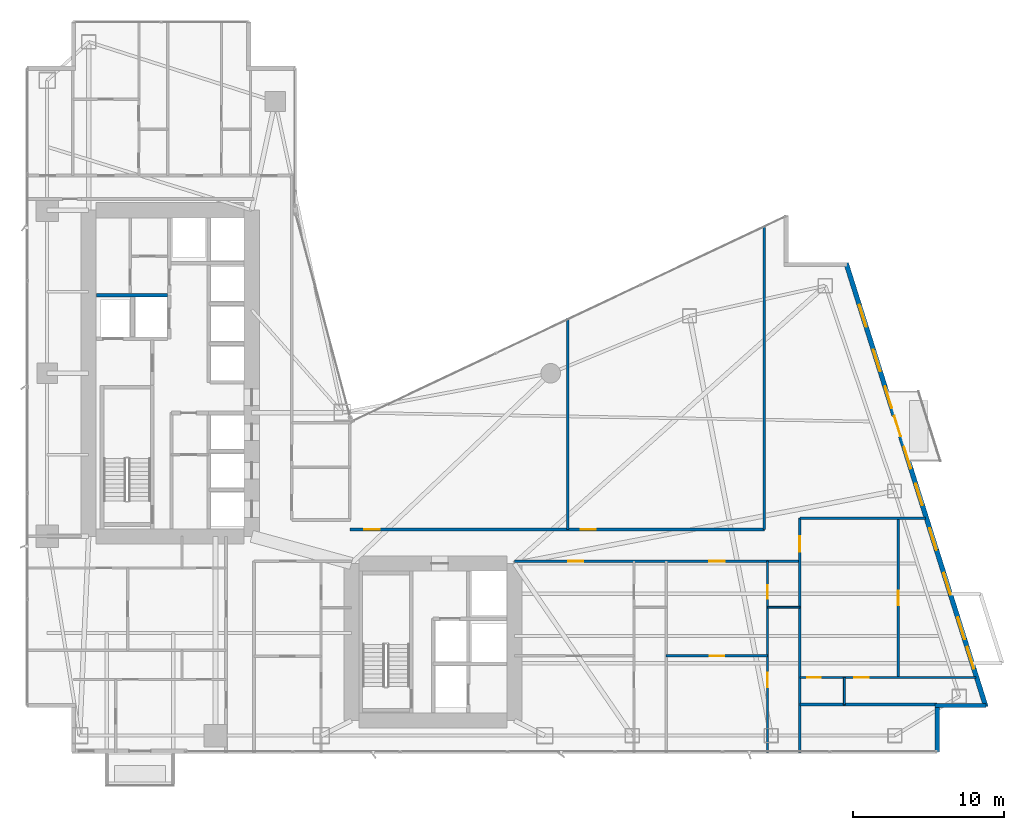
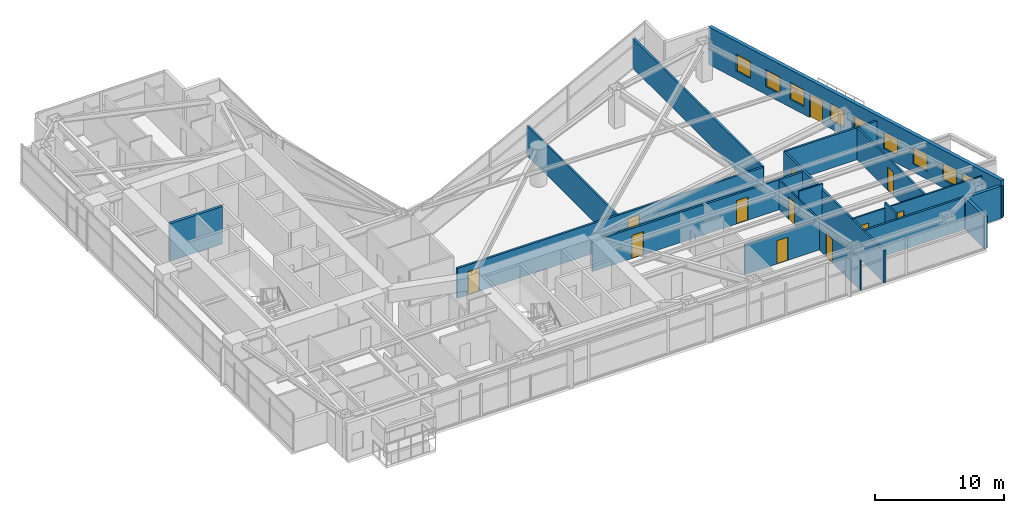
# One storey, part 24 of 29: 17 walls, 12 doors, 9 windows, 21 openings.
"""IFC4 building model written with IfcOpenShell, lengths in metres."""

import ifcopenshell
import ifcopenshell.guid

model = None  # the IFC model being written
_history = None  # IfcOwnerHistory: only IFC2X3 demands one
_inside = {}  # id of a spatial element -> (the spatial element, [elements in it])
_under = {}  # id of a project, library or spatial element -> (it, [spatial elements below it])
_declared = {}  # id of a project -> (the project, [libraries it declares])
_typed = {}  # id of a type object -> (the type object, [elements of that type])
_made_of = {}  # id of a material, layer set ... -> (it, [elements and type objects made of it])


def new_model(schema):
    """Start an empty IFC model of exactly this schema.

    Asked for "IFC4X3", IfcOpenShell would pick the latest addendum, in which some entities
    have other attributes; the version numbers below select the first issue.
    IFC2X3 requires an IfcOwnerHistory on every rooted entity: one is made here for all.
    """
    global model, _history
    if schema == "IFC4X3":
        model = ifcopenshell.file(schema_version=(4, 3, 0, 0))
    else:
        model = ifcopenshell.file(schema=schema)
    _inside.clear()
    _under.clear()
    _declared.clear()
    _typed.clear()
    _made_of.clear()
    _history = None
    if model.schema == "IFC2X3":
        org = make("IfcOrganization", Name="unknown")
        user = make(
            "IfcPersonAndOrganization",
            ThePerson=make("IfcPerson", FamilyName="unknown"),
            TheOrganization=org,
        )
        app = make(
            "IfcApplication",
            ApplicationDeveloper=org,
            Version="unknown",
            ApplicationFullName="unknown",
            ApplicationIdentifier="unknown",
        )
        _history = make(
            "IfcOwnerHistory",
            OwningUser=user,
            OwningApplication=app,
            ChangeAction="ADDED",
            CreationDate=0,
        )
    return model


def make(cls, **values):
    """One entity of the class cls with the attributes given. An attribute that is None is left unset."""
    return model.create_entity(
        cls, **{name: value for name, value in values.items() if value is not None}
    )


def rooted(cls, **values):
    """An entity with a GlobalId (a new one), such as an element, a storey or a relation."""
    return make(cls, GlobalId=ifcopenshell.guid.new(), OwnerHistory=_history, **values)


def si_unit(unit_type, name, prefix=None):
    """IfcSIUnit, for example si_unit("LENGTHUNIT", "METRE", prefix="MILLI")."""
    return make("IfcSIUnit", UnitType=unit_type, Prefix=prefix, Name=name)


def assignment(units):
    """IfcUnitAssignment: the units of a project."""
    return None if units is None else make("IfcUnitAssignment", Units=units)


def point(xyz):
    """IfcCartesianPoint."""
    return None if xyz is None else make("IfcCartesianPoint", Coordinates=xyz)


def direction(xyz):
    """IfcDirection."""
    return None if xyz is None else make("IfcDirection", DirectionRatios=xyz)


def frame(location, z_axis=None, x_axis=None):
    """IfcAxis2Placement3D, a coordinate frame: its origin and axes. An axis left out is left unset."""
    return make(
        "IfcAxis2Placement3D",
        Location=point(location),
        Axis=direction(z_axis),
        RefDirection=direction(x_axis),
    )


def frame_2d(location, x_axis=None):
    """IfcAxis2Placement2D, a coordinate frame in the plane: its origin and x axis."""
    return make(
        "IfcAxis2Placement2D", Location=point(location), RefDirection=direction(x_axis)
    )


def origin():
    """The frame at (0, 0, 0) with its axes left unset."""
    return frame((0.0, 0.0, 0.0))


def place(relative_to, where):
    """IfcLocalPlacement: puts the frame where relative to a parent placement (None: the world)."""
    return make(
        "IfcLocalPlacement", PlacementRelTo=relative_to, RelativePlacement=where
    )


def context(
    kind, dimensions, precision=None, world=None, true_north=None, identifier=None
):
    """IfcGeometricRepresentationContext, for example the 3D "Model" context."""
    return make(
        "IfcGeometricRepresentationContext",
        ContextIdentifier=identifier,
        ContextType=kind,
        CoordinateSpaceDimension=dimensions,
        Precision=precision,
        WorldCoordinateSystem=world,
        TrueNorth=true_north,
    )


def subcontext(parent, identifier, kind, view, scale=None):
    """IfcGeometricRepresentationSubContext, for example "Body" below "Model"."""
    return make(
        "IfcGeometricRepresentationSubContext",
        ContextIdentifier=identifier,
        ContextType=kind,
        ParentContext=parent,
        TargetScale=scale,
        TargetView=view,
    )


def project(units=None, contexts=None):
    """IfcProject with its units and contexts."""
    return rooted(
        "IfcProject",
        Name="project",
        RepresentationContexts=contexts,
        UnitsInContext=assignment(units),
    )


def spatial(cls, under=None, at=None, **own):
    """A site, building, storey or space (cls), placed at a placement, below another one or the project."""
    s = rooted(cls, ObjectPlacement=at, **own)
    if under is not None:
        _under.setdefault(under.id(), (under, []))[1].append(s)
    return s


def profile(cls, at=None, kind="AREA", **sizes):
    """A parametric profile (cls). Its sizes go by their IFC names, for example OverallWidth=200.0."""
    return make(cls, ProfileType=kind, Position=at, **sizes)


def rectangle(**sizes):
    """IfcRectangleProfileDef."""
    return profile("IfcRectangleProfileDef", **sizes)


def extrude(swept, where, along, depth):
    """IfcExtrudedAreaSolid: the profile swept, set in the frame where, extruded along a direction by depth."""
    return make(
        "IfcExtrudedAreaSolid",
        SweptArea=swept,
        Position=where,
        ExtrudedDirection=direction(along),
        Depth=depth,
    )


def shape(context_of_items, identifier, shape_type, items):
    """IfcShapeRepresentation: the items that make up one representation, for example the "Body"."""
    return make(
        "IfcShapeRepresentation",
        ContextOfItems=context_of_items,
        RepresentationIdentifier=identifier,
        RepresentationType=shape_type,
        Items=items,
    )


def material(Name=None, Category=None):
    """IfcMaterial."""
    return make("IfcMaterial", Name=Name, Category=Category)


def layer(
    of_material, thickness, ventilated=None, Name=None, Category=None, Priority=None
):
    """IfcMaterialLayer: one layer of a wall or slab, of a material (None: an air gap)."""
    return make(
        "IfcMaterialLayer",
        Material=of_material,
        LayerThickness=thickness,
        IsVentilated=ventilated,
        Name=Name,
        Category=Category,
        Priority=Priority,
    )


def layer_set(layers, Name=None):
    """IfcMaterialLayerSet."""
    return make("IfcMaterialLayerSet", MaterialLayers=layers, LayerSetName=Name)


def made_of(thing, what):
    """Note that an element or type object is made of a material, layer set ...; save() writes the relation."""
    if what is not None:
        _made_of.setdefault(what.id(), (what, []))[1].append(thing)
    return thing


def type_object(cls, material=None, **own):
    """A type object (cls), such as IfcWallType, which elements share."""
    return made_of(rooted(cls, **own), material)


def element(
    cls,
    number,
    at=None,
    inside=None,
    cuts=None,
    type_object=None,
    material=None,
    context=None,
    identifier="Body",
    shape_type=None,
    held_by="IfcProductDefinitionShape",
    body=None,
    shapes=None,
    **own,
):
    """One element of the class cls, such as IfcWall. Its Tag is "e" and its number.

    at: its placement. inside: the storey or other place that contains it. cuts: it is an
    opening in that element (IfcRelVoidsElement). A single representation is given by context,
    identifier, shape_type and body (its items); several are given by shapes. held_by: the class
    of the entity that holds the representations. save() writes the other relations.
    """
    e = rooted(cls, Tag="e%d" % number, ObjectPlacement=at, **own)
    if body is not None:
        shapes = [shape(context, identifier, shape_type, body)]
    if shapes is not None:
        e.Representation = make(held_by, Representations=shapes)
    if inside is not None:
        _inside.setdefault(inside.id(), (inside, []))[1].append(e)
    if cuts is not None:
        rooted(
            "IfcRelVoidsElement", RelatingBuildingElement=cuts, RelatedOpeningElement=e
        )
    if type_object is not None:
        _typed.setdefault(type_object.id(), (type_object, []))[1].append(e)
    return made_of(e, material)


def fill(opening, filler):
    """IfcRelFillsElement: the door or window that sits in an opening."""
    return rooted(
        "IfcRelFillsElement",
        RelatingOpeningElement=opening,
        RelatedBuildingElement=filler,
    )


def aggregate(whole, parts):
    """IfcRelAggregates: a whole, such as a stair, and the parts it consists of."""
    return rooted("IfcRelAggregates", RelatingObject=whole, RelatedObjects=parts)


def save(model, path):
    """Write the relations noted so far, then the file.

    IfcRelAggregates (storeys below a building ...), IfcRelContainedInSpatialStructure (elements
    in a storey), IfcRelDefinesByType, IfcRelAssociatesMaterial and IfcRelDeclares: one each for
    every whole, place, type object, material and project.
    """
    for whole, parts in _under.values():
        aggregate(whole, parts)
    for where, things in _inside.values():
        rooted(
            "IfcRelContainedInSpatialStructure",
            RelatedElements=things,
            RelatingStructure=where,
        )
    for kind, things in _typed.values():
        rooted("IfcRelDefinesByType", RelatedObjects=things, RelatingType=kind)
    for what, things in _made_of.values():
        rooted("IfcRelAssociatesMaterial", RelatedObjects=things, RelatingMaterial=what)
    for by, libraries in _declared.values():
        rooted("IfcRelDeclares", RelatingContext=by, RelatedDefinitions=libraries)
    model.write(path)


model = new_model("IFC4")

# Units and contexts
model_context = context("Model", 3, precision=1e-05, world=origin(), true_north=direction((0.0, 1.0)))
body_context = subcontext(model_context, "Body", "Model", "MODEL_VIEW")
ifc_project = project(units=[si_unit("LENGTHUNIT", "METRE"), si_unit("AREAUNIT", "SQUARE_METRE"), si_unit("VOLUMEUNIT", "CUBIC_METRE"), si_unit("PLANEANGLEUNIT", "RADIAN"), si_unit("MASSUNIT", "GRAM", prefix="KILO")], contexts=[model_context])

# Site, building, storey
site_placement = place(None, origin())
site = spatial("IfcSite", under=ifc_project, at=site_placement, CompositionType="ELEMENT")
building_placement = place(site_placement, origin())
building = spatial("IfcBuilding", under=site, at=building_placement, Name="Calvorn Quay Hotel", CompositionType="ELEMENT")
storey_placement = place(building_placement, frame((0.0, 0.0, 69.800048828125)))
storey = spatial("IfcBuildingStorey", under=building, at=storey_placement, Name="L16", CompositionType="ELEMENT", Elevation=69.800048828125)

# Wall, openings, doors
ifc_material_1 = material(Name="Acoustic Fireboard Steel-Stud Partition", Category="steel")
ifc_layer_1 = layer(ifc_material_1, 0.179931640625)
ifc_layer_set_1 = layer_set([ifc_layer_1], Name="WL-CORR-FIRE-180")
wall_type_1 = type_object("IfcWallType", Name="WL-CORR-FIRE-180", PredefinedType="PARTITIONING", material=ifc_layer_set_1)
wall_1_placement = place(storey_placement, frame((32.39990234375, 15.14990234375, 0.0), z_axis=(0.0, 0.0, 1.0), x_axis=(1.0, 0.0, 0.0)))
wall_1 = element("IfcWall", 1, at=wall_1_placement, inside=storey, type_object=wall_type_1, Name="Partition Wall L16-WL-CORR-SE-S", PredefinedType="PARTITIONING", context=body_context, shape_type="SweptSolid", body=[
    extrude(rectangle(XDim=18.900146484375, YDim=0.179931640625, at=frame_2d((9.4501953125, 0.0))), origin(), (0.0, 0.0, 1.0), 2.83984375),
])
opening_1_placement = place(wall_1_placement, frame((3.550048828125, 0.0, 0.0)))
opening_1 = element("IfcOpeningElement", 2, at=opening_1_placement, cuts=wall_1, Name="Opening D-L16-U06", PredefinedType="OPENING", context=body_context, shape_type="SweptSolid", body=[
    extrude(rectangle(XDim=1.02001953125, YDim=2.199951171875, at=frame_2d((0.510009765625, 1.10009765625))), frame((0.0, 0.099853515625, 0.0), z_axis=(0.0, -1.0, 0.0), x_axis=(1.0, 0.0, 0.0)), (0.0, 0.0, 1.0), 0.199951171875),
])
opening_2_placement = place(wall_1_placement, frame((12.89990234375, 0.0, 0.0)))
opening_2 = element("IfcOpeningElement", 3, at=opening_2_placement, cuts=wall_1, Name="Opening D-L16-U07", PredefinedType="OPENING", context=body_context, shape_type="SweptSolid", body=[
    extrude(rectangle(XDim=1.02001953125, YDim=2.199951171875, at=frame_2d((0.510009765625, 1.10009765625))), frame((0.0, 0.099853515625, 0.0), z_axis=(0.0, -1.0, 0.0), x_axis=(1.0, 0.0, 0.0)), (0.0, 0.0, 1.0), 0.199951171875),
])
ifc_material_2 = material(Name="Solid-Core Walnut Veneer Hotel Fire Door")
door_type_1 = type_object("IfcDoorType", Name="DR-GUEST-ENTRY-1020", OperationType="NOTDEFINED", PredefinedType="DOOR", material=ifc_material_2)
door_1_placement = place(opening_1_placement, origin())
door_1 = element("IfcDoor", 4, at=door_1_placement, inside=storey, type_object=door_type_1, Name="South-East Unit Door U06 (L16)", OperationType="SINGLE_SWING_LEFT", OverallHeight=2.199951171875, OverallWidth=1.02001953125, PredefinedType="DOOR", context=body_context, shape_type="SweptSolid", body=[
    extrude(rectangle(XDim=1.02001953125, YDim=2.199951171875, at=frame_2d((0.510009765625, 1.10009765625))), frame((0.0, 0.02490234375, 0.0), z_axis=(0.0, -1.0, 0.0), x_axis=(1.0, 0.0, 0.0)), (0.0, 0.0, 1.0), 0.050048828125),
])
fill(opening_1, door_1)
door_2_placement = place(opening_2_placement, origin())
door_2 = element("IfcDoor", 5, at=door_2_placement, inside=storey, type_object=door_type_1, Name="South-East Unit Door U07 (L16)", OperationType="SINGLE_SWING_RIGHT", OverallHeight=2.199951171875, OverallWidth=1.02001953125, PredefinedType="DOOR", context=body_context, shape_type="SweptSolid", body=[
    extrude(rectangle(XDim=1.02001953125, YDim=2.199951171875, at=frame_2d((0.510009765625, 1.10009765625))), frame((0.0, 0.02490234375, 0.0), z_axis=(0.0, -1.0, 0.0), x_axis=(1.0, 0.0, 0.0)), (0.0, 0.0, 1.0), 0.050048828125),
])
fill(opening_2, door_2)

wall_2_placement = place(storey_placement, frame((21.5, 17.25, 0.0), z_axis=(0.0, 0.0, 1.0), x_axis=(1.0, 0.0, 0.0)))
wall_2 = element("IfcWall", 6, at=wall_2_placement, inside=storey, type_object=wall_type_1, Name="Partition Wall L16-WL-CORR-NE-N", PredefinedType="PARTITIONING", context=body_context, shape_type="SweptSolid", body=[
    extrude(rectangle(XDim=27.449951171875, YDim=0.179931640625, at=frame_2d((13.72509765625, 0.0))), origin(), (0.0, 0.0, 1.0), 2.83984375),
])
opening_3_placement = place(wall_2_placement, frame((0.949951171875, 0.0, 0.0)))
opening_3 = element("IfcOpeningElement", 7, at=opening_3_placement, cuts=wall_2, Name="Opening D-L16-NS1", PredefinedType="OPENING", context=body_context, shape_type="SweptSolid", body=[
    extrude(rectangle(XDim=1.02001953125, YDim=2.199951171875, at=frame_2d((0.510009765625, 1.10009765625))), frame((0.0, 0.099853515625, 0.0), z_axis=(0.0, -1.0, 0.0), x_axis=(1.0, 0.0, 0.0)), (0.0, 0.0, 1.0), 0.199951171875),
])
opening_4_placement = place(wall_2_placement, frame((15.280029296875, 0.0, 0.0)))
opening_4 = element("IfcOpeningElement", 8, at=opening_4_placement, cuts=wall_2, Name="Opening D-L16-NS2", PredefinedType="OPENING", context=body_context, shape_type="SweptSolid", body=[
    extrude(rectangle(XDim=1.02001953125, YDim=2.199951171875, at=frame_2d((0.510009765625, 1.10009765625))), frame((0.0, 0.099853515625, 0.0), z_axis=(0.0, -1.0, 0.0), x_axis=(1.0, 0.0, 0.0)), (0.0, 0.0, 1.0), 0.199951171875),
])
door_3_placement = place(opening_3_placement, origin())
door_3 = element("IfcDoor", 9, at=door_3_placement, inside=storey, type_object=door_type_1, Name="Conservatory Salon Door 1 (L16)", OperationType="SINGLE_SWING_RIGHT", OverallHeight=2.199951171875, OverallWidth=1.02001953125, PredefinedType="DOOR", context=body_context, shape_type="SweptSolid", body=[
    extrude(rectangle(XDim=1.02001953125, YDim=2.199951171875, at=frame_2d((0.510009765625, 1.10009765625))), frame((0.0, 0.02490234375, 0.0), z_axis=(0.0, -1.0, 0.0), x_axis=(1.0, 0.0, 0.0)), (0.0, 0.0, 1.0), 0.050048828125),
])
fill(opening_3, door_3)
door_4_placement = place(opening_4_placement, origin())
door_4 = element("IfcDoor", 10, at=door_4_placement, inside=storey, type_object=door_type_1, Name="Conservatory Salon Door 2 (L16)", OperationType="SINGLE_SWING_LEFT", OverallHeight=2.199951171875, OverallWidth=1.02001953125, PredefinedType="DOOR", context=body_context, shape_type="SweptSolid", body=[
    extrude(rectangle(XDim=1.02001953125, YDim=2.199951171875, at=frame_2d((0.510009765625, 1.10009765625))), frame((0.0, 0.02490234375, 0.0), z_axis=(0.0, -1.0, 0.0), x_axis=(1.0, 0.0, 0.0)), (0.0, 0.0, 1.0), 0.050048828125),
])
fill(opening_4, door_4)

# Walls
wall_3_placement = place(storey_placement, frame((48.949951171875, 17.25, 0.0), z_axis=(0.0, 0.0, 1.0), x_axis=(0.0, 1.0, 0.0)))
element("IfcWall", 11, at=wall_3_placement, inside=storey, type_object=wall_type_1, Name="Partition Wall L16-WL-NE-END-E", PredefinedType="PARTITIONING", context=body_context, shape_type="SweptSolid", body=[
    extrude(rectangle(XDim=20.14990234375, YDim=0.179931640625, at=frame_2d((10.074951171875, 0.0))), origin(), (0.0, 0.0, 1.0), 2.83984375),
])
wall_4_placement = place(storey_placement, frame((51.300048828125, 5.659912109375, 0.0), z_axis=(0.0, 0.0, 1.0), x_axis=(1.0, 0.0, 0.0)))
element("IfcWall", 12, at=wall_4_placement, inside=storey, type_object=wall_type_1, Name="Partition Wall L16-WL-TIP-S", PredefinedType="PARTITIONING", context=body_context, shape_type="SweptSolid", body=[
    extrude(rectangle(XDim=9.099853515625, YDim=0.179931640625, at=frame_2d((4.5498046875, 0.0))), origin(), (0.0, 0.0, 1.0), 3.0400390625),
])
wall_5_placement = place(storey_placement, frame((51.300048828125, 18.0, 0.0), z_axis=(0.0, 0.0, 1.0), x_axis=(1.0, 0.0, 0.0)))
element("IfcWall", 13, at=wall_5_placement, inside=storey, type_object=wall_type_1, Name="Partition Wall L16-WL-TIP-DIV", PredefinedType="PARTITIONING", context=body_context, shape_type="SweptSolid", body=[
    extrude(rectangle(XDim=8.329833984375, YDim=0.179931640625, at=frame_2d((4.1650390625, 0.0))), origin(), (0.0, 0.0, 1.0), 3.0400390625),
])

# Wall, opening, door
wall_6_placement = place(storey_placement, frame((51.300048828125, 2.43994140625, 0.0), z_axis=(0.0, 0.0, 1.0), x_axis=(0.0, 1.0, 0.0)))
wall_6 = element("IfcWall", 14, at=wall_6_placement, inside=storey, type_object=wall_type_1, Name="Partition Wall L16-WL-CORR-TIP-E1", PredefinedType="PARTITIONING", context=body_context, shape_type="SweptSolid", body=[
    extrude(rectangle(XDim=15.56005859375, YDim=0.179931640625, at=frame_2d((7.780029296875, 0.0))), origin(), (0.0, 0.0, 1.0), 3.0400390625),
])
opening_5_placement = place(wall_6_placement, frame((13.330078125, 0.0, 0.0)))
opening_5 = element("IfcOpeningElement", 15, at=opening_5_placement, cuts=wall_6, Name="Opening D-L16-U08", PredefinedType="OPENING", context=body_context, shape_type="SweptSolid", body=[
    extrude(rectangle(XDim=1.02001953125, YDim=2.199951171875, at=frame_2d((0.510009765625, 1.10009765625))), frame((0.0, 0.099853515625, 0.0), z_axis=(0.0, -1.0, 0.0), x_axis=(1.0, 0.0, 0.0)), (0.0, 0.0, 1.0), 0.199951171875),
])
door_5_placement = place(opening_5_placement, origin())
door_5 = element("IfcDoor", 16, at=door_5_placement, inside=storey, type_object=door_type_1, Name="Terrace Suite Door U08 (L16)", OperationType="SINGLE_SWING_LEFT", OverallHeight=2.199951171875, OverallWidth=1.02001953125, PredefinedType="DOOR", context=body_context, shape_type="SweptSolid", body=[
    extrude(rectangle(XDim=1.02001953125, YDim=2.199951171875, at=frame_2d((0.510009765625, 1.10009765625))), frame((0.0, 0.02490234375, 0.0), z_axis=(0.0, -1.0, 0.0), x_axis=(1.0, 0.0, 0.0)), (0.0, 0.0, 1.0), 0.050048828125),
])
fill(opening_5, door_5)

# Wall
ifc_material_3 = material(Name="Moisture-Resistant Tile-Backed Partition")
ifc_layer_2 = layer(ifc_material_3, 0.125)
ifc_layer_set_2 = layer_set([ifc_layer_2], Name="WL-ENSUITE-125")
wall_type_2 = type_object("IfcWallType", Name="WL-ENSUITE-125", PredefinedType="PARTITIONING", material=ifc_layer_set_2)
wall_7_placement = place(storey_placement, frame((49.169921875, 12.10009765625, 0.0), z_axis=(0.0, 0.0, 1.0), x_axis=(1.0, 0.0, 0.0)))
element("IfcWall", 17, at=wall_7_placement, inside=storey, type_object=wall_type_2, Name="Partition Wall L16-WL-U07-BDV", PredefinedType="PARTITIONING", context=body_context, shape_type="SweptSolid", body=[
    extrude(rectangle(XDim=2.130126953125, YDim=0.125, at=frame_2d((1.06494140625, 0.0))), origin(), (0.0, 0.0, 1.0), 3.56005859375),
])

# Wall, openings, doors
wall_8_placement = place(storey_placement, frame((49.169921875, 2.43994140625, 0.0), z_axis=(0.0, 0.0, 1.0), x_axis=(0.0, 1.0, 0.0)))
wall_8 = element("IfcWall", 18, at=wall_8_placement, inside=storey, type_object=wall_type_2, Name="Partition Wall L16-WL-U07-BV", PredefinedType="PARTITIONING", context=body_context, shape_type="SweptSolid", body=[
    extrude(rectangle(XDim=12.7099609375, YDim=0.125, at=frame_2d((6.35498046875, 0.0))), origin(), (0.0, 0.0, 1.0), 2.83984375),
])
opening_6_placement = place(wall_8_placement, frame((4.35009765625, 0.0, 0.0)))
opening_6 = element("IfcOpeningElement", 19, at=opening_6_placement, cuts=wall_8, Name="Opening D-L16-S07", PredefinedType="OPENING", context=body_context, shape_type="SweptSolid", body=[
    extrude(rectangle(XDim=0.9599609375, YDim=2.199951171875, at=frame_2d((0.47998046875, 1.10009765625))), frame((0.0, 0.072509765625, 0.0), z_axis=(0.0, -1.0, 0.0), x_axis=(1.0, 0.0, 0.0)), (0.0, 0.0, 1.0), 0.14501953125),
])
opening_7_placement = place(wall_8_placement, frame((10.2099609375, 0.0, 0.0)))
opening_7 = element("IfcOpeningElement", 20, at=opening_7_placement, cuts=wall_8, Name="Opening D-L16-E07", PredefinedType="OPENING", context=body_context, shape_type="SweptSolid", body=[
    extrude(rectangle(XDim=0.89990234375, YDim=2.14990234375, at=frame_2d((0.449951171875, 1.074951171875))), frame((0.0, 0.072509765625, 0.0), z_axis=(0.0, -1.0, 0.0), x_axis=(1.0, 0.0, 0.0)), (0.0, 0.0, 1.0), 0.14501953125),
])
ifc_material_4 = material(Name="Moisture-Sealed Timber En-Suite Door", Category="wood")
door_type_2 = type_object("IfcDoorType", Name="DR-ENSUITE-900", OperationType="NOTDEFINED", PredefinedType="DOOR", material=ifc_material_4)
door_6_placement = place(opening_7_placement, origin())
door_6 = element("IfcDoor", 21, at=door_6_placement, inside=storey, type_object=door_type_2, Name="En-Suite Door 07", OperationType="SINGLE_SWING_RIGHT", OverallHeight=2.14990234375, OverallWidth=0.89990234375, PredefinedType="DOOR", context=body_context, shape_type="SweptSolid", body=[
    extrude(rectangle(XDim=0.89990234375, YDim=2.14990234375, at=frame_2d((0.449951171875, 1.074951171875))), frame((0.0, 0.02490234375, 0.0), z_axis=(0.0, -1.0, 0.0), x_axis=(1.0, 0.0, 0.0)), (0.0, 0.0, 1.0), 0.050048828125),
])
fill(opening_7, door_6)
ifc_material_5 = material(Name="Solid Timber Internal Suite Door", Category="wood")
door_type_3 = type_object("IfcDoorType", Name="DR-SUITE-INT-960", OperationType="NOTDEFINED", PredefinedType="DOOR", material=ifc_material_5)
door_7_placement = place(opening_6_placement, origin())
door_7 = element("IfcDoor", 22, at=door_7_placement, inside=storey, type_object=door_type_3, Name="Spa Therapy Room Door 07", OperationType="SINGLE_SWING_LEFT", OverallHeight=2.199951171875, OverallWidth=0.9599609375, PredefinedType="DOOR", context=body_context, shape_type="SweptSolid", body=[
    extrude(rectangle(XDim=0.9599609375, YDim=2.199951171875, at=frame_2d((0.47998046875, 1.10009765625))), frame((0.0, 0.02490234375, 0.0), z_axis=(0.0, -1.0, 0.0), x_axis=(1.0, 0.0, 0.0)), (0.0, 0.0, 1.0), 0.050048828125),
])
fill(opening_6, door_7)

# Wall
wall_9_placement = place(storey_placement, frame((54.25, 5.659912109375, 0.0), z_axis=(0.0, 0.0, 1.0), x_axis=(0.0, 1.0, 0.0)))
element("IfcWall", 23, at=wall_9_placement, inside=storey, type_object=wall_type_2, Name="Partition Wall L16-WL-U08-BDV", PredefinedType="PARTITIONING", context=body_context, shape_type="SweptSolid", body=[
    extrude(rectangle(XDim=1.7900390625, YDim=0.125, at=frame_2d((0.89501953125, 0.0))), origin(), (0.0, 0.0, 1.0), 3.56005859375),
])

# Wall, openings, doors
wall_10_placement = place(storey_placement, frame((51.300048828125, 7.449951171875, 0.0), z_axis=(0.0, 0.0, 1.0), x_axis=(1.0, 0.0, 0.0)))
wall_10 = element("IfcWall", 24, at=wall_10_placement, inside=storey, type_object=wall_type_2, Name="Partition Wall L16-WL-U08-BH", PredefinedType="PARTITIONING", context=body_context, shape_type="SweptSolid", body=[
    extrude(rectangle(XDim=11.659912109375, YDim=0.125, at=frame_2d((5.830078125, 0.0))), origin(), (0.0, 0.0, 1.0), 3.0400390625),
])
opening_8_placement = place(wall_10_placement, frame((0.5, 0.0, 0.0)))
opening_8 = element("IfcOpeningElement", 25, at=opening_8_placement, cuts=wall_10, Name="Opening D-L16-E08", PredefinedType="OPENING", context=body_context, shape_type="SweptSolid", body=[
    extrude(rectangle(XDim=0.89990234375, YDim=2.14990234375, at=frame_2d((0.449951171875, 1.074951171875))), frame((0.0, 0.072509765625, 0.0), z_axis=(0.0, -1.0, 0.0), x_axis=(1.0, 0.0, 0.0)), (0.0, 0.0, 1.0), 0.14501953125),
])
opening_9_placement = place(wall_10_placement, frame((3.60009765625, 0.0, 0.0)))
opening_9 = element("IfcOpeningElement", 26, at=opening_9_placement, cuts=wall_10, Name="Opening D-L16-S08", PredefinedType="OPENING", context=body_context, shape_type="SweptSolid", body=[
    extrude(rectangle(XDim=0.9599609375, YDim=2.199951171875, at=frame_2d((0.47998046875, 1.10009765625))), frame((0.0, 0.072509765625, 0.0), z_axis=(0.0, -1.0, 0.0), x_axis=(1.0, 0.0, 0.0)), (0.0, 0.0, 1.0), 0.14501953125),
])
door_8_placement = place(opening_8_placement, origin())
door_8 = element("IfcDoor", 27, at=door_8_placement, inside=storey, type_object=door_type_2, Name="En-Suite Door 08", OperationType="SINGLE_SWING_LEFT", OverallHeight=2.14990234375, OverallWidth=0.89990234375, PredefinedType="DOOR", context=body_context, shape_type="SweptSolid", body=[
    extrude(rectangle(XDim=0.89990234375, YDim=2.14990234375, at=frame_2d((0.449951171875, 1.074951171875))), frame((0.0, 0.02490234375, 0.0), z_axis=(0.0, -1.0, 0.0), x_axis=(1.0, 0.0, 0.0)), (0.0, 0.0, 1.0), 0.050048828125),
])
fill(opening_8, door_8)
door_9_placement = place(opening_9_placement, origin())
door_9 = element("IfcDoor", 28, at=door_9_placement, inside=storey, type_object=door_type_3, Name="Spa Therapy Room Door 08", OperationType="SINGLE_SWING_RIGHT", OverallHeight=2.199951171875, OverallWidth=0.9599609375, PredefinedType="DOOR", context=body_context, shape_type="SweptSolid", body=[
    extrude(rectangle(XDim=0.9599609375, YDim=2.199951171875, at=frame_2d((0.47998046875, 1.10009765625))), frame((0.0, 0.02490234375, 0.0), z_axis=(0.0, -1.0, 0.0), x_axis=(1.0, 0.0, 0.0)), (0.0, 0.0, 1.0), 0.050048828125),
])
fill(opening_9, door_9)

# Walls
ifc_material_6 = material(Name="Concrete C40", Category="concrete")
ifc_layer_3 = layer(ifc_material_6, 0.320068359375)
ifc_layer_set_3 = layer_set([ifc_layer_3], Name="WL-EXT-SPANDREL-320")
wall_type_3 = type_object("IfcWallType", Name="WL-EXT-SPANDREL-320", PredefinedType="SOLIDWALL", material=ifc_layer_set_3)
wall_11_placement = place(storey_placement, frame((60.39990234375, 2.52001953125, 0.0), z_axis=(0.0, 0.0, 1.0), x_axis=(0.0, 1.0, 0.0)))
element("IfcWall", 29, at=wall_11_placement, inside=storey, type_object=wall_type_3, Name="Notched Corner Spandrel L16-SE1", PredefinedType="SOLIDWALL", context=body_context, shape_type="SweptSolid", body=[
    extrude(rectangle(XDim=2.93994140625, YDim=0.280029296875, at=frame_2d((1.469970703125, 0.0))), origin(), (0.0, 0.0, 1.0), 3.0400390625),
])
wall_12_placement = place(storey_placement, frame((60.260009765625, 5.60009765625, 0.0), z_axis=(0.0, 0.0, 1.0), x_axis=(1.0, 0.0, 0.0)))
element("IfcWall", 30, at=wall_12_placement, inside=storey, type_object=wall_type_3, Name="Notched Corner Spandrel L16-SE2", PredefinedType="SOLIDWALL", context=body_context, shape_type="SweptSolid", body=[
    extrude(rectangle(XDim=3.3798828125, YDim=0.280029296875, at=frame_2d((1.68994140625, 0.0))), origin(), (0.0, 0.0, 1.0), 3.0400390625),
])

# Wall, openings, door, windows
wall_13_placement = place(storey_placement, frame((63.6298828125, 5.5048828125, 0.0), z_axis=(0.0, 0.0, 1.0), x_axis=(-0.300501856448, 0.953781229775, 0.0)))
wall_13 = element("IfcWall", 31, at=wall_13_placement, inside=storey, type_object=wall_type_3, Name="East Stepped Waterfront Exterior Wall (L16)", PredefinedType="SOLIDWALL", context=body_context, shape_type="SweptSolid", body=[
    extrude(rectangle(XDim=30.814453125, YDim=0.320068359375, at=frame_2d((15.4072265625, 0.0))), origin(), (0.0, 0.0, 1.0), 3.56005859375),
])
opening_10_placement = place(wall_13_placement, frame((18.7958984375, 0.0, 0.0)))
opening_10 = element("IfcOpeningElement", 32, at=opening_10_placement, cuts=wall_13, Name="Opening DB-L16-1", PredefinedType="OPENING", context=body_context, shape_type="SweptSolid", body=[
    extrude(rectangle(XDim=1.39990234375, YDim=2.25, at=frame_2d((0.699951171875, 1.125))), frame((0.0, 0.169921875, 0.0), z_axis=(0.0, -1.0, 0.0), x_axis=(1.0, 0.0, 0.0)), (0.0, 0.0, 1.0), 0.340087890625),
])
opening_11_placement = place(wall_13_placement, frame((2.64990234375, 0.0, 0.75)))
opening_11 = element("IfcOpeningElement", 33, at=opening_11_placement, cuts=wall_13, Name="Opening WG-L16-E1", PredefinedType="OPENING", context=body_context, shape_type="SweptSolid", body=[
    extrude(rectangle(XDim=1.5, YDim=1.60009765625, at=frame_2d((0.75, 0.800048828125))), frame((0.0, 0.169921875, 0.0), z_axis=(0.0, -1.0, 0.0), x_axis=(1.0, 0.0, 0.0)), (0.0, 0.0, 1.0), 0.340087890625),
])
opening_12_placement = place(wall_13_placement, frame((4.699951171875, 0.0, 0.75)))
opening_12 = element("IfcOpeningElement", 34, at=opening_12_placement, cuts=wall_13, Name="Opening WG-L16-E2", PredefinedType="OPENING", context=body_context, shape_type="SweptSolid", body=[
    extrude(rectangle(XDim=1.5, YDim=1.60009765625, at=frame_2d((0.75, 0.800048828125))), frame((0.0, 0.169921875, 0.0), z_axis=(0.0, -1.0, 0.0), x_axis=(1.0, 0.0, 0.0)), (0.0, 0.0, 1.0), 0.340087890625),
])
opening_13_placement = place(wall_13_placement, frame((7.800048828125, 0.0, 0.75)))
opening_13 = element("IfcOpeningElement", 35, at=opening_13_placement, cuts=wall_13, Name="Opening WG-L16-E3", PredefinedType="OPENING", context=body_context, shape_type="SweptSolid", body=[
    extrude(rectangle(XDim=1.5, YDim=1.60009765625, at=frame_2d((0.75, 0.800048828125))), frame((0.0, 0.169921875, 0.0), z_axis=(0.0, -1.0, 0.0), x_axis=(1.0, 0.0, 0.0)), (0.0, 0.0, 1.0), 0.340087890625),
])
opening_14_placement = place(wall_13_placement, frame((10.89990234375, 0.0, 0.75)))
opening_14 = element("IfcOpeningElement", 36, at=opening_14_placement, cuts=wall_13, Name="Opening WG-L16-E4", PredefinedType="OPENING", context=body_context, shape_type="SweptSolid", body=[
    extrude(rectangle(XDim=1.5, YDim=1.60009765625, at=frame_2d((0.75, 0.800048828125))), frame((0.0, 0.169921875, 0.0), z_axis=(0.0, -1.0, 0.0), x_axis=(1.0, 0.0, 0.0)), (0.0, 0.0, 1.0), 0.340087890625),
])
opening_15_placement = place(wall_13_placement, frame((14.0, 0.0, 0.75)))
opening_15 = element("IfcOpeningElement", 37, at=opening_15_placement, cuts=wall_13, Name="Opening WG-L16-E5", PredefinedType="OPENING", context=body_context, shape_type="SweptSolid", body=[
    extrude(rectangle(XDim=1.5, YDim=1.60009765625, at=frame_2d((0.75, 0.800048828125))), frame((0.0, 0.169921875, 0.0), z_axis=(0.0, -1.0, 0.0), x_axis=(1.0, 0.0, 0.0)), (0.0, 0.0, 1.0), 0.340087890625),
])
opening_16_placement = place(wall_13_placement, frame((16.550048828125, 0.0, 0.75)))
opening_16 = element("IfcOpeningElement", 38, at=opening_16_placement, cuts=wall_13, Name="Opening WG-L16-E6", PredefinedType="OPENING", context=body_context, shape_type="SweptSolid", body=[
    extrude(rectangle(XDim=1.5, YDim=1.60009765625, at=frame_2d((0.75, 0.800048828125))), frame((0.0, 0.169921875, 0.0), z_axis=(0.0, -1.0, 0.0), x_axis=(1.0, 0.0, 0.0)), (0.0, 0.0, 1.0), 0.340087890625),
])
opening_17_placement = place(wall_13_placement, frame((20.75, 0.0, 0.75)))
opening_17 = element("IfcOpeningElement", 39, at=opening_17_placement, cuts=wall_13, Name="Opening WG-L16-E7", PredefinedType="OPENING", context=body_context, shape_type="SweptSolid", body=[
    extrude(rectangle(XDim=1.5, YDim=1.60009765625, at=frame_2d((0.75, 0.800048828125))), frame((0.0, 0.169921875, 0.0), z_axis=(0.0, -1.0, 0.0), x_axis=(1.0, 0.0, 0.0)), (0.0, 0.0, 1.0), 0.340087890625),
])
opening_18_placement = place(wall_13_placement, frame((23.300048828125, 0.0, 0.75)))
opening_18 = element("IfcOpeningElement", 40, at=opening_18_placement, cuts=wall_13, Name="Opening WG-L16-E8", PredefinedType="OPENING", context=body_context, shape_type="SweptSolid", body=[
    extrude(rectangle(XDim=1.5, YDim=1.60009765625, at=frame_2d((0.75, 0.800048828125))), frame((0.0, 0.169921875, 0.0), z_axis=(0.0, -1.0, 0.0), x_axis=(1.0, 0.0, 0.0)), (0.0, 0.0, 1.0), 0.340087890625),
])
opening_19_placement = place(wall_13_placement, frame((26.39990234375, 0.0, 0.75)))
opening_19 = element("IfcOpeningElement", 41, at=opening_19_placement, cuts=wall_13, Name="Opening WG-L16-E9", PredefinedType="OPENING", context=body_context, shape_type="SweptSolid", body=[
    extrude(rectangle(XDim=1.5, YDim=1.60009765625, at=frame_2d((0.75, 0.800048828125))), frame((0.0, 0.169921875, 0.0), z_axis=(0.0, -1.0, 0.0), x_axis=(1.0, 0.0, 0.0)), (0.0, 0.0, 1.0), 0.340087890625),
])
ifc_material_7 = material(Name="Typhoon-Rated Low-E Aluminium Terrace Door", Category="aluminium")
door_type_4 = type_object("IfcDoorType", Name="DR-BALCONY-GLZ-1400", OperationType="NOTDEFINED", PredefinedType="DOOR", material=ifc_material_7)
door_10_placement = place(opening_10_placement, origin())
door_10 = element("IfcDoor", 42, at=door_10_placement, inside=storey, type_object=door_type_4, Name="Tree Balcony Terrace Door L16-BALC-E", OperationType="SINGLE_SWING_LEFT", OverallHeight=2.25, OverallWidth=1.39990234375, PredefinedType="DOOR", context=body_context, shape_type="SweptSolid", body=[
    extrude(rectangle(XDim=1.39990234375, YDim=2.25, at=frame_2d((0.699951171875, 1.125))), frame((0.0, 0.02490234375, 0.0), z_axis=(0.0, -1.0, 0.0), x_axis=(1.0, 0.0, 0.0)), (0.0, 0.0, 1.0), 0.050048828125),
])
fill(opening_10, door_10)
ifc_material_8 = material(Name="Self-Closing Class B Fire Window")
window_type = type_object("IfcWindowType", Name="WIN-REFUGE-1500x1600", PartitioningType="SINGLE_PANEL", PredefinedType="WINDOW", material=ifc_material_8)
window_1_placement = place(opening_11_placement, origin())
window_1 = element("IfcWindow", 43, at=window_1_placement, inside=storey, type_object=window_type, Name="East Facade Window L16-E1", OverallHeight=1.60009765625, OverallWidth=1.5, PartitioningType="SINGLE_PANEL", PredefinedType="WINDOW", context=body_context, shape_type="SweptSolid", body=[
    extrude(rectangle(XDim=1.5, YDim=1.60009765625, at=frame_2d((0.75, 0.800048828125))), frame((0.0, 0.030029296875, 0.0), z_axis=(0.0, -1.0, 0.0), x_axis=(1.0, 0.0, 0.0)), (0.0, 0.0, 1.0), 0.06005859375),
])
fill(opening_11, window_1)
window_2_placement = place(opening_12_placement, origin())
window_2 = element("IfcWindow", 44, at=window_2_placement, inside=storey, type_object=window_type, Name="East Facade Window L16-E2", OverallHeight=1.60009765625, OverallWidth=1.5, PartitioningType="SINGLE_PANEL", PredefinedType="WINDOW", context=body_context, shape_type="SweptSolid", body=[
    extrude(rectangle(XDim=1.5, YDim=1.60009765625, at=frame_2d((0.75, 0.800048828125))), frame((0.0, 0.030029296875, 0.0), z_axis=(0.0, -1.0, 0.0), x_axis=(1.0, 0.0, 0.0)), (0.0, 0.0, 1.0), 0.06005859375),
])
fill(opening_12, window_2)
window_3_placement = place(opening_13_placement, origin())
window_3 = element("IfcWindow", 45, at=window_3_placement, inside=storey, type_object=window_type, Name="East Facade Window L16-E3", OverallHeight=1.60009765625, OverallWidth=1.5, PartitioningType="SINGLE_PANEL", PredefinedType="WINDOW", context=body_context, shape_type="SweptSolid", body=[
    extrude(rectangle(XDim=1.5, YDim=1.60009765625, at=frame_2d((0.75, 0.800048828125))), frame((0.0, 0.030029296875, 0.0), z_axis=(0.0, -1.0, 0.0), x_axis=(1.0, 0.0, 0.0)), (0.0, 0.0, 1.0), 0.06005859375),
])
fill(opening_13, window_3)
window_4_placement = place(opening_14_placement, origin())
window_4 = element("IfcWindow", 46, at=window_4_placement, inside=storey, type_object=window_type, Name="East Facade Window L16-E4", OverallHeight=1.60009765625, OverallWidth=1.5, PartitioningType="SINGLE_PANEL", PredefinedType="WINDOW", context=body_context, shape_type="SweptSolid", body=[
    extrude(rectangle(XDim=1.5, YDim=1.60009765625, at=frame_2d((0.75, 0.800048828125))), frame((0.0, 0.030029296875, 0.0), z_axis=(0.0, -1.0, 0.0), x_axis=(1.0, 0.0, 0.0)), (0.0, 0.0, 1.0), 0.06005859375),
])
fill(opening_14, window_4)
window_5_placement = place(opening_15_placement, origin())
window_5 = element("IfcWindow", 47, at=window_5_placement, inside=storey, type_object=window_type, Name="East Facade Window L16-E5", OverallHeight=1.60009765625, OverallWidth=1.5, PartitioningType="SINGLE_PANEL", PredefinedType="WINDOW", context=body_context, shape_type="SweptSolid", body=[
    extrude(rectangle(XDim=1.5, YDim=1.60009765625, at=frame_2d((0.75, 0.800048828125))), frame((0.0, 0.030029296875, 0.0), z_axis=(0.0, -1.0, 0.0), x_axis=(1.0, 0.0, 0.0)), (0.0, 0.0, 1.0), 0.06005859375),
])
fill(opening_15, window_5)
window_6_placement = place(opening_16_placement, origin())
window_6 = element("IfcWindow", 48, at=window_6_placement, inside=storey, type_object=window_type, Name="East Facade Window L16-E6", OverallHeight=1.60009765625, OverallWidth=1.5, PartitioningType="SINGLE_PANEL", PredefinedType="WINDOW", context=body_context, shape_type="SweptSolid", body=[
    extrude(rectangle(XDim=1.5, YDim=1.60009765625, at=frame_2d((0.75, 0.800048828125))), frame((0.0, 0.030029296875, 0.0), z_axis=(0.0, -1.0, 0.0), x_axis=(1.0, 0.0, 0.0)), (0.0, 0.0, 1.0), 0.06005859375),
])
fill(opening_16, window_6)
window_7_placement = place(opening_17_placement, origin())
window_7 = element("IfcWindow", 49, at=window_7_placement, inside=storey, type_object=window_type, Name="East Facade Window L16-E7", OverallHeight=1.60009765625, OverallWidth=1.5, PartitioningType="SINGLE_PANEL", PredefinedType="WINDOW", context=body_context, shape_type="SweptSolid", body=[
    extrude(rectangle(XDim=1.5, YDim=1.60009765625, at=frame_2d((0.75, 0.800048828125))), frame((0.0, 0.030029296875, 0.0), z_axis=(0.0, -1.0, 0.0), x_axis=(1.0, 0.0, 0.0)), (0.0, 0.0, 1.0), 0.06005859375),
])
fill(opening_17, window_7)
window_8_placement = place(opening_18_placement, origin())
window_8 = element("IfcWindow", 50, at=window_8_placement, inside=storey, type_object=window_type, Name="East Facade Window L16-E8", OverallHeight=1.60009765625, OverallWidth=1.5, PartitioningType="SINGLE_PANEL", PredefinedType="WINDOW", context=body_context, shape_type="SweptSolid", body=[
    extrude(rectangle(XDim=1.5, YDim=1.60009765625, at=frame_2d((0.75, 0.800048828125))), frame((0.0, 0.030029296875, 0.0), z_axis=(0.0, -1.0, 0.0), x_axis=(1.0, 0.0, 0.0)), (0.0, 0.0, 1.0), 0.06005859375),
])
fill(opening_18, window_8)
window_9_placement = place(opening_19_placement, origin())
window_9 = element("IfcWindow", 51, at=window_9_placement, inside=storey, type_object=window_type, Name="East Facade Window L16-E9", OverallHeight=1.60009765625, OverallWidth=1.5, PartitioningType="SINGLE_PANEL", PredefinedType="WINDOW", context=body_context, shape_type="SweptSolid", body=[
    extrude(rectangle(XDim=1.5, YDim=1.60009765625, at=frame_2d((0.75, 0.800048828125))), frame((0.0, 0.030029296875, 0.0), z_axis=(0.0, -1.0, 0.0), x_axis=(1.0, 0.0, 0.0)), (0.0, 0.0, 1.0), 0.06005859375),
])
fill(opening_19, window_9)

# Wall, opening, door
ifc_material_9 = material(Name="Double-Stud Acoustic Gypsum Partition")
ifc_layer_4 = layer(ifc_material_9, 0.159912109375)
ifc_layer_set_4 = layer_set([ifc_layer_4], Name="WL-INTERSUITE-160")
wall_type_4 = type_object("IfcWallType", Name="WL-INTERSUITE-160", PredefinedType="PARTITIONING", material=ifc_layer_set_4)
wall_14_placement = place(storey_placement, frame((42.449951171875, 8.8798828125, 0.0), z_axis=(0.0, 0.0, 1.0), x_axis=(1.0, 0.0, 0.0)))
wall_14 = element("IfcWall", 52, at=wall_14_placement, inside=storey, type_object=wall_type_4, Name="Partition Wall L16-WL-U07-MSP", PredefinedType="PARTITIONING", context=body_context, shape_type="SweptSolid", body=[
    extrude(rectangle(XDim=6.719970703125, YDim=0.159912109375, at=frame_2d((3.35986328125, 0.0))), origin(), (0.0, 0.0, 1.0), 2.83984375),
])
opening_20_placement = place(wall_14_placement, frame((2.8798828125, 0.0, 0.0)))
opening_20 = element("IfcOpeningElement", 53, at=opening_20_placement, cuts=wall_14, Name="Opening D-L16-M07", PredefinedType="OPENING", context=body_context, shape_type="SweptSolid", body=[
    extrude(rectangle(XDim=0.9599609375, YDim=2.199951171875, at=frame_2d((0.47998046875, 1.10009765625))), frame((0.0, 0.08984375, 0.0), z_axis=(0.0, -1.0, 0.0), x_axis=(1.0, 0.0, 0.0)), (0.0, 0.0, 1.0), 0.179931640625),
])
door_11_placement = place(opening_20_placement, origin())
door_11 = element("IfcDoor", 54, at=door_11_placement, inside=storey, type_object=door_type_3, Name="Suite Bedroom Door 07", OperationType="SINGLE_SWING_LEFT", OverallHeight=2.199951171875, OverallWidth=0.9599609375, PredefinedType="DOOR", context=body_context, shape_type="SweptSolid", body=[
    extrude(rectangle(XDim=0.9599609375, YDim=2.199951171875, at=frame_2d((0.47998046875, 1.10009765625))), frame((0.0, 0.02490234375, 0.0), z_axis=(0.0, -1.0, 0.0), x_axis=(1.0, 0.0, 0.0)), (0.0, 0.0, 1.0), 0.050048828125),
])
fill(opening_20, door_11)

# Wall
wall_15_placement = place(storey_placement, frame((35.929931640625, 17.25, 0.0), z_axis=(0.0, 0.0, 1.0), x_axis=(0.0, 1.0, 0.0)))
element("IfcWall", 55, at=wall_15_placement, inside=storey, type_object=wall_type_4, Name="Partition Wall L16-WL-NE-DIV-1", PredefinedType="PARTITIONING", context=body_context, shape_type="SweptSolid", body=[
    extrude(rectangle(XDim=14.0, YDim=0.159912109375, at=frame_2d((7.0, 0.0))), origin(), (0.0, 0.0, 1.0), 2.83984375),
])

# Wall, opening, door
wall_16_placement = place(storey_placement, frame((57.830078125, 7.449951171875, 0.0), z_axis=(0.0, 0.0, 1.0), x_axis=(0.0, 1.0, 0.0)))
wall_16 = element("IfcWall", 56, at=wall_16_placement, inside=storey, type_object=wall_type_4, Name="Partition Wall L16-WL-U08-MSP", PredefinedType="PARTITIONING", context=body_context, shape_type="SweptSolid", body=[
    extrude(rectangle(XDim=10.550048828125, YDim=0.159912109375, at=frame_2d((5.27490234375, 0.0))), origin(), (0.0, 0.0, 1.0), 3.0400390625),
])
opening_21_placement = place(wall_16_placement, frame((4.7900390625, 0.0, 0.0)))
opening_21 = element("IfcOpeningElement", 57, at=opening_21_placement, cuts=wall_16, Name="Opening D-L16-M08", PredefinedType="OPENING", context=body_context, shape_type="SweptSolid", body=[
    extrude(rectangle(XDim=0.9599609375, YDim=2.199951171875, at=frame_2d((0.47998046875, 1.10009765625))), frame((0.0, 0.08984375, 0.0), z_axis=(0.0, -1.0, 0.0), x_axis=(1.0, 0.0, 0.0)), (0.0, 0.0, 1.0), 0.179931640625),
])
door_12_placement = place(opening_21_placement, origin())
door_12 = element("IfcDoor", 58, at=door_12_placement, inside=storey, type_object=door_type_3, Name="Suite Bedroom Door 08", OperationType="SINGLE_SWING_LEFT", OverallHeight=2.199951171875, OverallWidth=0.9599609375, PredefinedType="DOOR", context=body_context, shape_type="SweptSolid", body=[
    extrude(rectangle(XDim=0.9599609375, YDim=2.199951171875, at=frame_2d((0.47998046875, 1.10009765625))), frame((0.0, 0.02490234375, 0.0), z_axis=(0.0, -1.0, 0.0), x_axis=(1.0, 0.0, 0.0)), (0.0, 0.0, 1.0), 0.050048828125),
])
fill(opening_21, door_12)

# Wall
ifc_material_10 = material(Name="Concrete C40", Category="concrete")
ifc_layer_5 = layer(ifc_material_10, 0.239990234375)
ifc_layer_set_5 = layer_set([ifc_layer_5], Name="WL-SHAFT-240")
wall_type_5 = type_object("IfcWallType", Name="WL-SHAFT-240", PredefinedType="SOLIDWALL", material=ifc_layer_set_5)
wall_17_placement = place(storey_placement, frame((4.719970703125, 32.780029296875, 0.0), z_axis=(0.0, 0.0, 1.0), x_axis=(1.0, 0.0, 0.0)))
element("IfcWall", 59, at=wall_17_placement, inside=storey, type_object=wall_type_5, Name="Partition Wall L16-WL-CWW-SLW-N", PredefinedType="SOLIDWALL", context=body_context, shape_type="SweptSolid", body=[
    extrude(rectangle(XDim=4.699951171875, YDim=0.239990234375, at=frame_2d((2.35009765625, 0.0))), origin(), (0.0, 0.0, 1.0), 3.56005859375),
])

save(model, "model.ifc")
